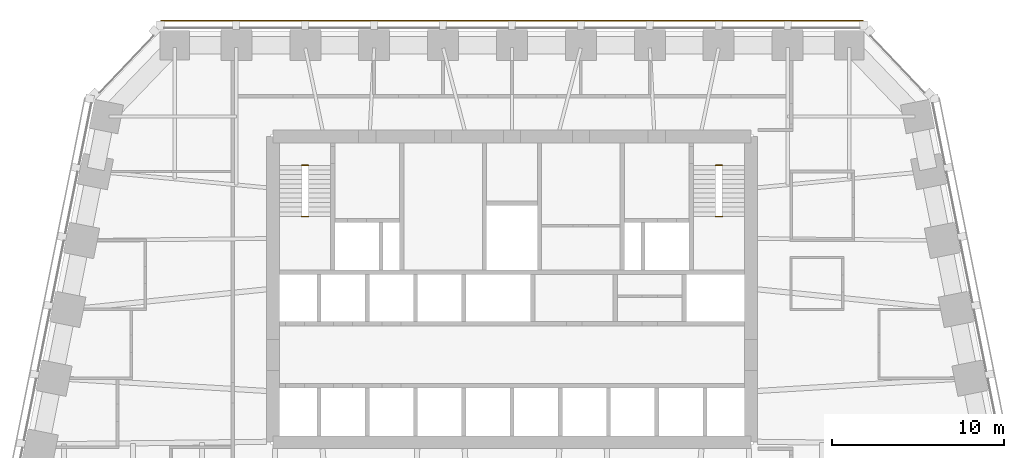
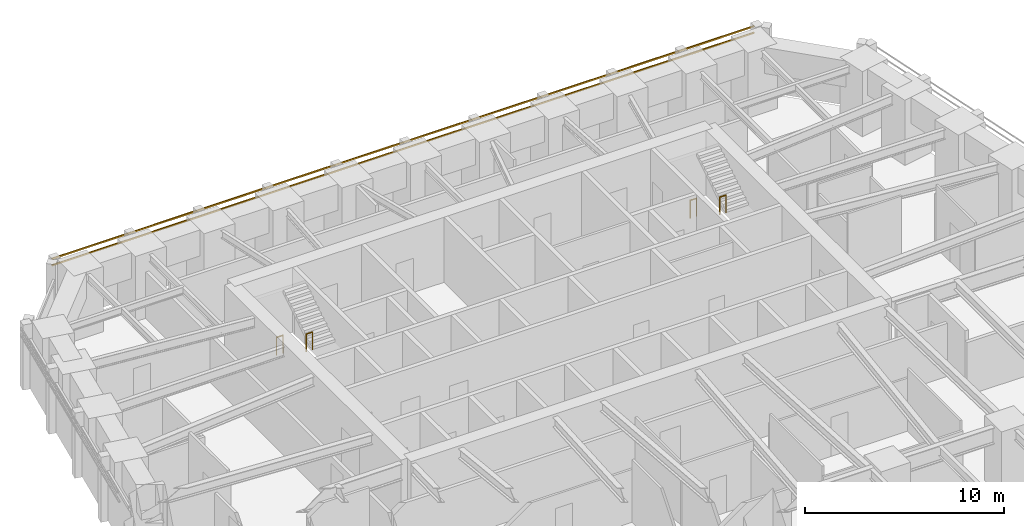
# One storey, part 10 of 10: 4 railings, 2 shading devices.
"""IFC4 building model written with IfcOpenShell, lengths in metres."""

from ifc_helpers import new_model, si_unit, direction, frame, origin, origin_2d, place, context, subcontext, project, spatial, rectangle, circle, extrude, material, material_profile, profile_set, type_object, element, save


model = new_model("IFC4")

# Units and contexts
model_context = context("Model", 3, precision=1e-05, world=origin(), true_north=direction((0.0, 1.0)))
body_context = subcontext(model_context, "Body", "Model", "MODEL_VIEW")
ifc_project = project(units=[si_unit("LENGTHUNIT", "METRE"), si_unit("AREAUNIT", "SQUARE_METRE"), si_unit("VOLUMEUNIT", "CUBIC_METRE"), si_unit("PLANEANGLEUNIT", "RADIAN"), si_unit("MASSUNIT", "GRAM", prefix="KILO")], contexts=[model_context])

# Site, building, storey
site_placement = place(None, origin())
site = spatial("IfcSite", under=ifc_project, at=site_placement, CompositionType="ELEMENT")
building_placement = place(site_placement, origin())
building = spatial("IfcBuilding", under=site, at=building_placement, Name="Isbrekke Arena Tower", CompositionType="ELEMENT")
storey_placement = place(building_placement, frame((0.0, 0.0, 123.0)))
storey = spatial("IfcBuildingStorey", under=building, at=storey_placement, Name="L27", CompositionType="ELEMENT", Elevation=123.0)

# Shading devices
ifc_material_1 = material(Name="Terracotta", Category="masonry")
ifc_material_profile = material_profile(ifc_material_1, rectangle(XDim=0.06005859375, YDim=0.06005859375, at=origin_2d()), Name="BAGUETTE 60X60")
ifc_profile_set = profile_set([ifc_material_profile], Name="Terracotta")
shading_device_type = type_object("IfcShadingDeviceType", Name="BG1 TERRACOTTA BAGUETTE 60 x 60", PredefinedType="USERDEFINED", material=ifc_profile_set)
for number, where, z_axis, x_axis, name in (
    (1, (20.39990234375, 30.60498046875, 3.280029296875), (-1.0, 0.0, 0.0), (0.0, -1.0, 0.0), "BG1 terracotta baguette N1 L27"),
    (2, (20.39990234375, 30.60498046875, 3.679931640625), (-1.0, 0.0, 0.0), (0.0, -1.0, 0.0), "BG1 terracotta baguette N2 L27"),
):
    element("IfcShadingDevice", number, at=place(storey_placement, frame(where, z_axis=z_axis, x_axis=x_axis)), inside=storey, type_object=shading_device_type, Name=name, ObjectType="TERRACOTTA BAGUETTE", PredefinedType="USERDEFINED", context=body_context, shape_type="SweptSolid", body=[
        extrude(rectangle(XDim=0.06005859375, YDim=0.06005859375, at=origin_2d()), origin(), (0.0, 0.0, 1.0), 40.7998046875),
    ])

# Railings
ifc_material_2 = material(Name="Steel stair guard, vertical bars, steel handrail", Category="steel")
railing_type = type_object("IfcRailingType", Name="GR3 STAIR WELL GUARD 1100", PredefinedType="GUARDRAIL", material=ifc_material_2)
for number, where, name in (
    (3, (-12.199951171875, 22.199951171875, 0.0), "GR3 stair well guard ST1 L27"),
    (4, (-12.199951171875, 19.22998046875, 2.0), "GR3 stair well guard ST1 L27"),
    (5, (11.824951171875, 22.199951171875, 0.0), "GR3 stair well guard ST2 L27"),
    (6, (11.824951171875, 19.22998046875, 2.0), "GR3 stair well guard ST2 L27"),
):
    element("IfcRailing", number, at=place(storey_placement, frame(where)), inside=storey, type_object=railing_type, Name=name, PredefinedType="GUARDRAIL", context=body_context, shape_type="SweptSolid", body=[
        extrude(circle(Radius=0.02392578125, at=origin_2d()), frame((0.0, 0.0, 1.076171875), z_axis=(1.0, 0.0, 0.0), x_axis=(0.0, 1.0, 0.0)), (0.0, 0.0, 1.0), 0.375),
        extrude(circle(Radius=0.02099609375, at=origin_2d()), origin(), (0.0, 0.0, 1.0), 1.052001953125),
        extrude(circle(Radius=0.02099609375, at=origin_2d()), frame((0.375, 0.0, 0.0)), (0.0, 0.0, 1.0), 1.052001953125),
    ])

save(model, "model.ifc")
